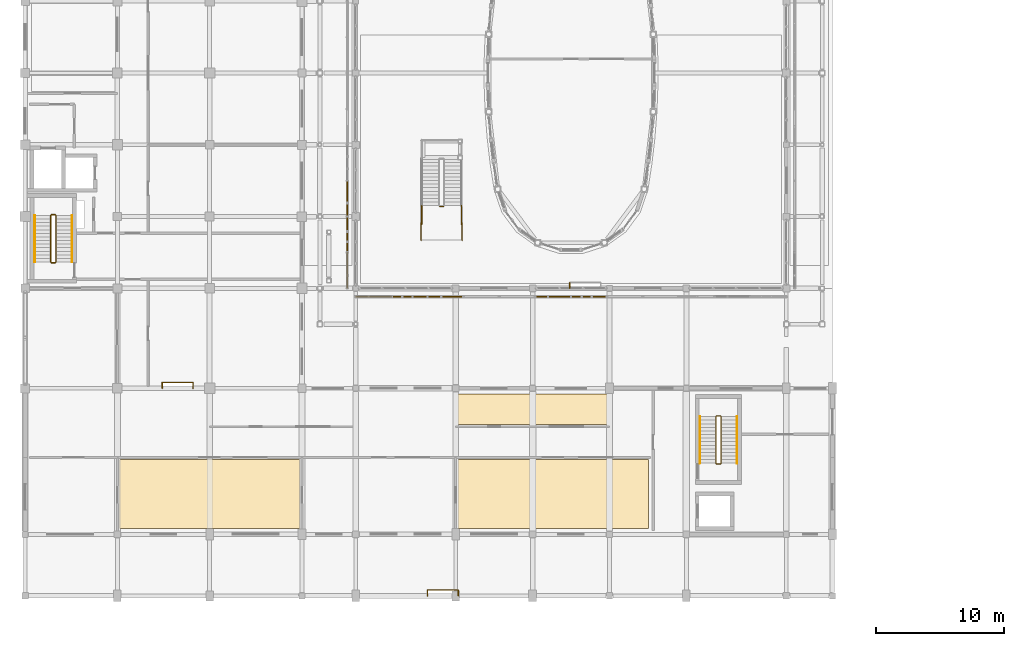
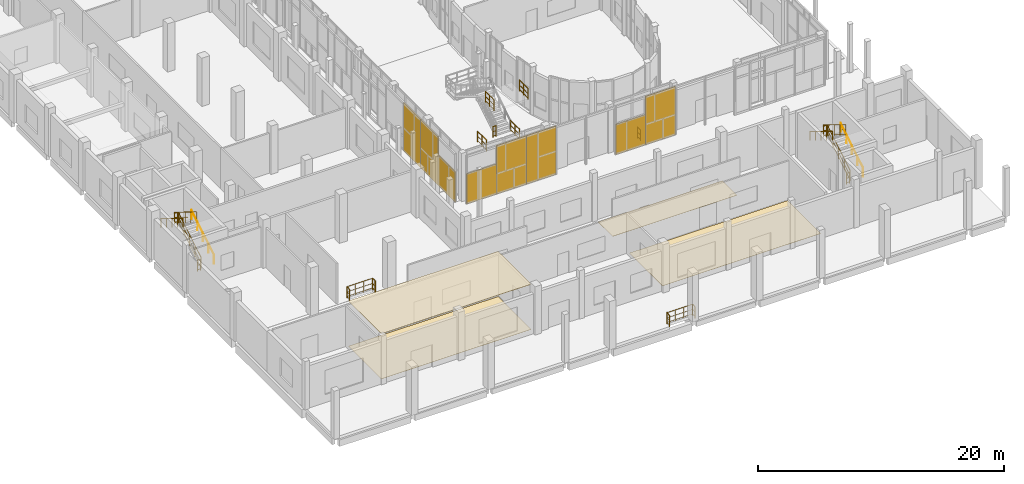
# One storey, part 83 of 91: 24 railings, 8 shading devices, 4 coverings.
"""IFC4 building model written with IfcOpenShell, lengths in metres."""

from ifc_helpers import new_model, si_unit, direction, frame, origin, origin_2d, place, context, subcontext, project, spatial, polyline, rectangle, circle, outline, extrude, material, layer, layer_set, type_object, element, save


model = new_model("IFC4")

# Units and contexts
model_context = context("Model", 3, precision=1e-05, world=origin(), true_north=direction((0.0, 1.0)))
body_context = subcontext(model_context, "Body", "Model", "MODEL_VIEW")
ifc_project = project(units=[si_unit("LENGTHUNIT", "METRE"), si_unit("AREAUNIT", "SQUARE_METRE"), si_unit("VOLUMEUNIT", "CUBIC_METRE"), si_unit("PLANEANGLEUNIT", "RADIAN"), si_unit("MASSUNIT", "GRAM", prefix="KILO")], contexts=[model_context])

# Site, building, storey
site_placement = place(None, origin())
site = spatial("IfcSite", under=ifc_project, at=site_placement, CompositionType="ELEMENT")
building_placement = place(site_placement, origin())
building = spatial("IfcBuilding", under=site, at=building_placement, Name="Vinh Khe Railworks Police Headquarters", CompositionType="ELEMENT")
storey_placement = place(building_placement, origin())
storey = spatial("IfcBuildingStorey", under=building, at=storey_placement, Name="L00", CompositionType="ELEMENT", Elevation=0.0)

# Coverings
ifc_material_1 = material(Name="Mineral fibre acoustic ceiling tile")
ifc_layer_1 = layer(ifc_material_1, 0.034912109375)
ifc_layer_set_1 = layer_set([ifc_layer_1], Name="Mineral fibre acoustic ceiling tile")
covering_type_1 = type_object("IfcCoveringType", Name="COV-CEIL-ACOUSTIC", PredefinedType="CEILING", material=ifc_layer_set_1)
covering_1_placement = place(storey_placement, frame((0.0, 0.0, 4.47509765625)))
element("IfcCovering", 1, at=covering_1_placement, inside=storey, type_object=covering_type_1, Name="Acoustic Ceiling Front Counter", PredefinedType="CEILING", context=body_context, shape_type="SweptSolid", body=[
    extrude(outline(polyline([(22.0400390625, 11.840087890625), (7.9599609375, 11.840087890625), (7.9599609375, 6.4599609375), (22.0400390625, 6.4599609375), (22.0400390625, 11.840087890625)])), origin(), (0.0, 0.0, 1.0), 0.034912109375),
])
ifc_material_2 = material(Name="Honed granite terrazzo flooring", Category="masonry")
ifc_layer_2 = layer(ifc_material_2, 0.02001953125)
ifc_layer_set_2 = layer_set([ifc_layer_2], Name="Honed granite terrazzo flooring")
covering_type_2 = type_object("IfcCoveringType", Name="COV-FLR-TERRAZZO", PredefinedType="FLOORING", material=ifc_layer_set_2)
covering_2_placement = place(storey_placement, origin())
element("IfcCovering", 2, at=covering_2_placement, inside=storey, type_object=covering_type_2, Name="Terrazzo Floor Finish Front Counter", PredefinedType="FLOORING", context=body_context, shape_type="SweptSolid", body=[
    extrude(outline(polyline([(22.0400390625, 11.840087890625), (7.9599609375, 11.840087890625), (7.9599609375, 6.4599609375), (22.0400390625, 6.4599609375), (22.0400390625, 11.840087890625)])), origin(), (0.0, 0.0, 1.0), 0.02001953125),
])
covering_3_placement = place(storey_placement, origin())
element("IfcCovering", 3, at=covering_3_placement, inside=storey, type_object=covering_type_2, Name="Terrazzo Floor Finish Public Cafe", PredefinedType="FLOORING", context=body_context, shape_type="SweptSolid", body=[
    extrude(outline(polyline([(49.239990234375, 11.840087890625), (34.360107421875, 11.840087890625), (34.360107421875, 6.4599609375), (49.239990234375, 6.4599609375), (49.239990234375, 11.840087890625)])), origin(), (0.0, 0.0, 1.0), 0.02001953125),
])
covering_4_placement = place(storey_placement, origin())
element("IfcCovering", 4, at=covering_4_placement, inside=storey, type_object=covering_type_2, Name="Terrazzo Floor Finish Cafe Servery Pantry", PredefinedType="FLOORING", context=body_context, shape_type="SweptSolid", body=[
    extrude(outline(polyline([(46.0400390625, 16.93994140625), (34.360107421875, 16.93994140625), (34.360107421875, 14.56005859375), (46.0400390625, 14.56005859375), (46.0400390625, 16.93994140625)])), origin(), (0.0, 0.0, 1.0), 0.02001953125),
])

# Railings
ifc_material_3 = material(Name="Dark steel and laminated safety glass", Category="steel")
railing_type_1 = type_object("IfcRailingType", Name="RL-ATRIUM-1150", PredefinedType="BALUSTRADE", material=ifc_material_3)
railing_1_placement = place(storey_placement, frame((33.25, 31.60009765625, 0.0)))
element("IfcRailing", 5, at=railing_1_placement, inside=storey, type_object=railing_type_1, Name="L00 ST-08 stair guard 7", PredefinedType="BALUSTRADE", context=body_context, shape_type="SweptSolid", body=[
    extrude(circle(Radius=0.02392578125, at=origin_2d()), frame((0.0, 0.0, 1.076171875), z_axis=(-1.0, 0.0, 0.0), x_axis=(0.0, -1.0, 0.0)), (0.0, 0.0, 1.0), 0.300048828125),
    extrude(circle(Radius=0.01416015625, at=origin_2d()), frame((0.0, 0.0, 0.132080078125), z_axis=(-1.0, 0.0, 0.0), x_axis=(0.0, -1.0, 0.0)), (0.0, 0.0, 1.0), 0.300048828125),
    extrude(circle(Radius=0.01416015625, at=origin_2d()), frame((0.0, 0.0, 0.572021484375), z_axis=(-1.0, 0.0, 0.0), x_axis=(0.0, -1.0, 0.0)), (0.0, 0.0, 1.0), 0.300048828125),
    extrude(circle(Radius=0.02099609375, at=origin_2d()), origin(), (0.0, 0.0, 1.0), 1.052001953125),
    extrude(circle(Radius=0.02099609375, at=origin_2d()), frame((-0.300048828125, 0.0, 0.0)), (0.0, 0.0, 1.0), 1.052001953125),
])
for number, where, name in (
    (6, (34.64990234375, 30.199951171875, 0.0), "L00 ST-08 stair guard 8"),
    (7, (31.550048828125, 30.199951171875, 0.0), "L00 ST-08 stair guard 9"),
):
    element("IfcRailing", number, at=place(storey_placement, frame(where)), inside=storey, type_object=railing_type_1, Name=name, PredefinedType="BALUSTRADE", context=body_context, shape_type="SweptSolid", body=[
        extrude(circle(Radius=0.02392578125, at=origin_2d()), frame((0.0, 0.0, 1.076171875), z_axis=(0.0, 1.0, 0.0), x_axis=(-1.0, 0.0, 0.0)), (0.0, 0.0, 1.0), 1.449951171875),
        extrude(circle(Radius=0.01416015625, at=origin_2d()), frame((0.0, 0.0, 0.132080078125), z_axis=(0.0, 1.0, 0.0), x_axis=(-1.0, 0.0, 0.0)), (0.0, 0.0, 1.0), 1.449951171875),
        extrude(circle(Radius=0.01416015625, at=origin_2d()), frame((0.0, 0.0, 0.572021484375), z_axis=(0.0, 1.0, 0.0), x_axis=(-1.0, 0.0, 0.0)), (0.0, 0.0, 1.0), 1.449951171875),
        extrude(circle(Radius=0.02099609375, at=origin_2d()), origin(), (0.0, 0.0, 1.0), 1.052001953125),
        extrude(circle(Radius=0.02099609375, at=origin_2d()), frame((0.0, 0.72509765625, 0.0)), (0.0, 0.0, 1.0), 1.052001953125),
        extrude(circle(Radius=0.02099609375, at=origin_2d()), frame((0.0, 1.449951171875, 0.0)), (0.0, 0.0, 1.0), 1.052001953125),
    ])
for number, where, name in (
    (8, (31.5, 28.949951171875, 4.800048828125), "L00 ST-08 stair guard 10"),
    (9, (34.699951171875, 28.949951171875, 4.800048828125), "L00 ST-08 stair guard 11"),
):
    element("IfcRailing", number, at=place(storey_placement, frame(where)), inside=storey, type_object=railing_type_1, Name=name, PredefinedType="BALUSTRADE", context=body_context, shape_type="SweptSolid", body=[
        extrude(circle(Radius=0.02392578125, at=origin_2d()), frame((0.0, 0.0, 1.076171875), z_axis=(0.0, 1.0, 0.0), x_axis=(-1.0, 0.0, 0.0)), (0.0, 0.0, 1.0), 1.35009765625),
        extrude(circle(Radius=0.01416015625, at=origin_2d()), frame((0.0, 0.0, 0.132080078125), z_axis=(0.0, 1.0, 0.0), x_axis=(-1.0, 0.0, 0.0)), (0.0, 0.0, 1.0), 1.35009765625),
        extrude(circle(Radius=0.01416015625, at=origin_2d()), frame((0.0, 0.0, 0.572021484375), z_axis=(0.0, 1.0, 0.0), x_axis=(-1.0, 0.0, 0.0)), (0.0, 0.0, 1.0), 1.35009765625),
        extrude(circle(Radius=0.02099609375, at=origin_2d()), origin(), (0.0, 0.0, 1.0), 1.052001953125),
        extrude(circle(Radius=0.02099609375, at=origin_2d()), frame((0.0, 0.675048828125, 0.0)), (0.0, 0.0, 1.0), 1.052001953125),
        extrude(circle(Radius=0.02099609375, at=origin_2d()), frame((0.0, 1.35009765625, 0.0)), (0.0, 0.0, 1.0), 1.052001953125),
    ])
ifc_material_4 = material(Name="Painted tubular steel", Category="steel")
railing_type_2 = type_object("IfcRailingType", Name="RL-GUARD-1100", PredefinedType="GUARDRAIL", material=ifc_material_4)
railing_2_placement = place(storey_placement, frame((3.0, 27.25, 0.17138671875)))
element("IfcRailing", 10, at=railing_2_placement, inside=storey, type_object=railing_type_2, Name="L00 ST-01 stair guard 1", PredefinedType="GUARDRAIL", context=body_context, shape_type="SweptSolid", body=[
    extrude(circle(Radius=0.02392578125, at=origin_2d()), frame((0.0, 0.0, 1.076171875), z_axis=(0.0, 0.852850264322, 0.5221555579), x_axis=(-1.0, 0.0, 0.0)), (0.0, 0.0, 1.0), 4.267822265625),
    extrude(circle(Radius=0.01416015625, at=origin_2d()), frame((0.0, 0.0, 0.132080078125), z_axis=(0.0, 0.852850264322, 0.5221555579), x_axis=(-1.0, 0.0, 0.0)), (0.0, 0.0, 1.0), 4.267822265625),
    extrude(circle(Radius=0.01416015625, at=origin_2d()), frame((0.0, 0.0, 0.572021484375), z_axis=(0.0, 0.852850264322, 0.5221555579), x_axis=(-1.0, 0.0, 0.0)), (0.0, 0.0, 1.0), 4.267822265625),
    extrude(circle(Radius=0.02099609375, at=origin_2d()), origin(), (0.0, 0.0, 1.0), 1.052001953125),
    extrude(circle(Radius=0.02099609375, at=origin_2d()), frame((0.0, 0.909912109375, 0.55712890625)), (0.0, 0.0, 1.0), 1.052001953125),
    extrude(circle(Radius=0.02099609375, at=origin_2d()), frame((0.0, 1.81982421875, 1.1142578125)), (0.0, 0.0, 1.0), 1.052001953125),
    extrude(circle(Radius=0.02099609375, at=origin_2d()), frame((0.0, 2.72998046875, 1.67138671875)), (0.0, 0.0, 1.0), 1.052001953125),
    extrude(circle(Radius=0.02099609375, at=origin_2d()), frame((0.0, 3.639892578125, 2.228515625)), (0.0, 0.0, 1.0), 1.052001953125),
])
railing_3_placement = place(storey_placement, frame((2.949951171875, 30.93994140625, 2.39990234375)))
element("IfcRailing", 11, at=railing_3_placement, inside=storey, type_object=railing_type_2, Name="L00 ST-01 stair guard 2", PredefinedType="GUARDRAIL", context=body_context, shape_type="SweptSolid", body=[
    extrude(circle(Radius=0.02392578125, at=origin_2d()), frame((0.0, 0.0, 1.076171875), z_axis=(-1.0, 0.0, 0.0), x_axis=(0.0, -1.0, 0.0)), (0.0, 0.0, 1.0), 0.300048828125),
    extrude(circle(Radius=0.01416015625, at=origin_2d()), frame((0.0, 0.0, 0.132080078125), z_axis=(-1.0, 0.0, 0.0), x_axis=(0.0, -1.0, 0.0)), (0.0, 0.0, 1.0), 0.300048828125),
    extrude(circle(Radius=0.01416015625, at=origin_2d()), frame((0.0, 0.0, 0.572021484375), z_axis=(-1.0, 0.0, 0.0), x_axis=(0.0, -1.0, 0.0)), (0.0, 0.0, 1.0), 0.300048828125),
    extrude(circle(Radius=0.02099609375, at=origin_2d()), origin(), (0.0, 0.0, 1.0), 1.052001953125),
    extrude(circle(Radius=0.02099609375, at=origin_2d()), frame((-0.300048828125, 0.0, 0.0)), (0.0, 0.0, 1.0), 1.052001953125),
])
railing_4_placement = place(storey_placement, frame((2.60009765625, 30.889892578125, 2.571533203125)))
element("IfcRailing", 12, at=railing_4_placement, inside=storey, type_object=railing_type_2, Name="L00 ST-01 stair guard 3", PredefinedType="GUARDRAIL", context=body_context, shape_type="SweptSolid", body=[
    extrude(circle(Radius=0.02392578125, at=origin_2d()), frame((0.0, 0.0, 1.076171875), z_axis=(0.0, -0.852850264322, 0.5221555579), x_axis=(1.0, 0.0, 0.0)), (0.0, 0.0, 1.0), 4.267822265625),
    extrude(circle(Radius=0.01416015625, at=origin_2d()), frame((0.0, 0.0, 0.132080078125), z_axis=(0.0, -0.852850264322, 0.5221555579), x_axis=(1.0, 0.0, 0.0)), (0.0, 0.0, 1.0), 4.267822265625),
    extrude(circle(Radius=0.01416015625, at=origin_2d()), frame((0.0, 0.0, 0.572021484375), z_axis=(0.0, -0.852850264322, 0.5221555579), x_axis=(1.0, 0.0, 0.0)), (0.0, 0.0, 1.0), 4.267822265625),
    extrude(circle(Radius=0.02099609375, at=origin_2d()), origin(), (0.0, 0.0, 1.0), 1.052001953125),
    extrude(circle(Radius=0.02099609375, at=origin_2d()), frame((0.0, -0.909912109375, 0.55712890625)), (0.0, 0.0, 1.0), 1.052001953125),
    extrude(circle(Radius=0.02099609375, at=origin_2d()), frame((0.0, -1.81982421875, 1.1142578125)), (0.0, 0.0, 1.0), 1.052001953125),
    extrude(circle(Radius=0.02099609375, at=origin_2d()), frame((0.0, -2.72998046875, 1.67138671875)), (0.0, 0.0, 1.0), 1.052001953125),
    extrude(circle(Radius=0.02099609375, at=origin_2d()), frame((0.0, -3.639892578125, 2.228515625)), (0.0, 0.0, 1.0), 1.052001953125),
])
railing_5_placement = place(storey_placement, frame((2.949951171875, 27.199951171875, 0.0)))
element("IfcRailing", 13, at=railing_5_placement, inside=storey, type_object=railing_type_2, Name="L00 ST-01 stair guard 4", PredefinedType="GUARDRAIL", context=body_context, shape_type="SweptSolid", body=[
    extrude(circle(Radius=0.02392578125, at=origin_2d()), frame((0.0, 0.0, 1.076171875), z_axis=(-1.0, 0.0, 0.0), x_axis=(0.0, -1.0, 0.0)), (0.0, 0.0, 1.0), 0.300048828125),
    extrude(circle(Radius=0.01416015625, at=origin_2d()), frame((0.0, 0.0, 0.132080078125), z_axis=(-1.0, 0.0, 0.0), x_axis=(0.0, -1.0, 0.0)), (0.0, 0.0, 1.0), 0.300048828125),
    extrude(circle(Radius=0.01416015625, at=origin_2d()), frame((0.0, 0.0, 0.572021484375), z_axis=(-1.0, 0.0, 0.0), x_axis=(0.0, -1.0, 0.0)), (0.0, 0.0, 1.0), 0.300048828125),
    extrude(circle(Radius=0.02099609375, at=origin_2d()), origin(), (0.0, 0.0, 1.0), 1.052001953125),
    extrude(circle(Radius=0.02099609375, at=origin_2d()), frame((-0.300048828125, 0.0, 0.0)), (0.0, 0.0, 1.0), 1.052001953125),
])
railing_6_placement = place(storey_placement, frame((54.89990234375, 11.550048828125, 0.17138671875)))
element("IfcRailing", 14, at=railing_6_placement, inside=storey, type_object=railing_type_2, Name="L00 ST-05 stair guard 1", PredefinedType="GUARDRAIL", context=body_context, shape_type="SweptSolid", body=[
    extrude(circle(Radius=0.02392578125, at=origin_2d()), frame((0.0, 0.0, 1.076171875), z_axis=(0.0, 0.852850264322, 0.5221555579), x_axis=(-1.0, 0.0, 0.0)), (0.0, 0.0, 1.0), 4.267822265625),
    extrude(circle(Radius=0.01416015625, at=origin_2d()), frame((0.0, 0.0, 0.132080078125), z_axis=(0.0, 0.852850264322, 0.5221555579), x_axis=(-1.0, 0.0, 0.0)), (0.0, 0.0, 1.0), 4.267822265625),
    extrude(circle(Radius=0.01416015625, at=origin_2d()), frame((0.0, 0.0, 0.572021484375), z_axis=(0.0, 0.852850264322, 0.5221555579), x_axis=(-1.0, 0.0, 0.0)), (0.0, 0.0, 1.0), 4.267822265625),
    extrude(circle(Radius=0.02099609375, at=origin_2d()), origin(), (0.0, 0.0, 1.0), 1.052001953125),
    extrude(circle(Radius=0.02099609375, at=origin_2d()), frame((0.0, 0.909912109375, 0.55712890625)), (0.0, 0.0, 1.0), 1.052001953125),
    extrude(circle(Radius=0.02099609375, at=origin_2d()), frame((0.0, 1.81982421875, 1.1142578125)), (0.0, 0.0, 1.0), 1.052001953125),
    extrude(circle(Radius=0.02099609375, at=origin_2d()), frame((0.0, 2.72998046875, 1.67138671875)), (0.0, 0.0, 1.0), 1.052001953125),
    extrude(circle(Radius=0.02099609375, at=origin_2d()), frame((0.0, 3.639892578125, 2.228515625)), (0.0, 0.0, 1.0), 1.052001953125),
])
railing_7_placement = place(storey_placement, frame((54.85009765625, 15.239990234375, 2.39990234375)))
element("IfcRailing", 15, at=railing_7_placement, inside=storey, type_object=railing_type_2, Name="L00 ST-05 stair guard 2", PredefinedType="GUARDRAIL", context=body_context, shape_type="SweptSolid", body=[
    extrude(circle(Radius=0.02392578125, at=origin_2d()), frame((0.0, 0.0, 1.076171875), z_axis=(-1.0, 0.0, 0.0), x_axis=(0.0, -1.0, 0.0)), (0.0, 0.0, 1.0), 0.300048828125),
    extrude(circle(Radius=0.01416015625, at=origin_2d()), frame((0.0, 0.0, 0.132080078125), z_axis=(-1.0, 0.0, 0.0), x_axis=(0.0, -1.0, 0.0)), (0.0, 0.0, 1.0), 0.300048828125),
    extrude(circle(Radius=0.01416015625, at=origin_2d()), frame((0.0, 0.0, 0.572021484375), z_axis=(-1.0, 0.0, 0.0), x_axis=(0.0, -1.0, 0.0)), (0.0, 0.0, 1.0), 0.300048828125),
    extrude(circle(Radius=0.02099609375, at=origin_2d()), origin(), (0.0, 0.0, 1.0), 1.052001953125),
    extrude(circle(Radius=0.02099609375, at=origin_2d()), frame((-0.300048828125, 0.0, 0.0)), (0.0, 0.0, 1.0), 1.052001953125),
])
railing_8_placement = place(storey_placement, frame((54.5, 15.18994140625, 2.571533203125)))
element("IfcRailing", 16, at=railing_8_placement, inside=storey, type_object=railing_type_2, Name="L00 ST-05 stair guard 3", PredefinedType="GUARDRAIL", context=body_context, shape_type="SweptSolid", body=[
    extrude(circle(Radius=0.02392578125, at=origin_2d()), frame((0.0, 0.0, 1.076171875), z_axis=(0.0, -0.852850264322, 0.5221555579), x_axis=(1.0, 0.0, 0.0)), (0.0, 0.0, 1.0), 4.267822265625),
    extrude(circle(Radius=0.01416015625, at=origin_2d()), frame((0.0, 0.0, 0.132080078125), z_axis=(0.0, -0.852850264322, 0.5221555579), x_axis=(1.0, 0.0, 0.0)), (0.0, 0.0, 1.0), 4.267822265625),
    extrude(circle(Radius=0.01416015625, at=origin_2d()), frame((0.0, 0.0, 0.572021484375), z_axis=(0.0, -0.852850264322, 0.5221555579), x_axis=(1.0, 0.0, 0.0)), (0.0, 0.0, 1.0), 4.267822265625),
    extrude(circle(Radius=0.02099609375, at=origin_2d()), origin(), (0.0, 0.0, 1.0), 1.052001953125),
    extrude(circle(Radius=0.02099609375, at=origin_2d()), frame((0.0, -0.909912109375, 0.55712890625)), (0.0, 0.0, 1.0), 1.052001953125),
    extrude(circle(Radius=0.02099609375, at=origin_2d()), frame((0.0, -1.81982421875, 1.1142578125)), (0.0, 0.0, 1.0), 1.052001953125),
    extrude(circle(Radius=0.02099609375, at=origin_2d()), frame((0.0, -2.72998046875, 1.67138671875)), (0.0, 0.0, 1.0), 1.052001953125),
    extrude(circle(Radius=0.02099609375, at=origin_2d()), frame((0.0, -3.639892578125, 2.228515625)), (0.0, 0.0, 1.0), 1.052001953125),
])
railing_9_placement = place(storey_placement, frame((54.85009765625, 11.5, 0.0)))
element("IfcRailing", 17, at=railing_9_placement, inside=storey, type_object=railing_type_2, Name="L00 ST-05 stair guard 4", PredefinedType="GUARDRAIL", context=body_context, shape_type="SweptSolid", body=[
    extrude(circle(Radius=0.02392578125, at=origin_2d()), frame((0.0, 0.0, 1.076171875), z_axis=(-1.0, 0.0, 0.0), x_axis=(0.0, -1.0, 0.0)), (0.0, 0.0, 1.0), 0.300048828125),
    extrude(circle(Radius=0.01416015625, at=origin_2d()), frame((0.0, 0.0, 0.132080078125), z_axis=(-1.0, 0.0, 0.0), x_axis=(0.0, -1.0, 0.0)), (0.0, 0.0, 1.0), 0.300048828125),
    extrude(circle(Radius=0.01416015625, at=origin_2d()), frame((0.0, 0.0, 0.572021484375), z_axis=(-1.0, 0.0, 0.0), x_axis=(0.0, -1.0, 0.0)), (0.0, 0.0, 1.0), 0.300048828125),
    extrude(circle(Radius=0.02099609375, at=origin_2d()), origin(), (0.0, 0.0, 1.0), 1.052001953125),
    extrude(circle(Radius=0.02099609375, at=origin_2d()), frame((-0.300048828125, 0.0, 0.0)), (0.0, 0.0, 1.0), 1.052001953125),
])
railing_10_placement = place(storey_placement, frame((11.300048828125, 17.39990234375, 0.0)))
element("IfcRailing", 18, at=railing_10_placement, inside=storey, type_object=railing_type_2, Name="Slab Corner Notch Guard L00-01", PredefinedType="GUARDRAIL", context=body_context, shape_type="SweptSolid", body=[
    extrude(circle(Radius=0.02392578125, at=origin_2d()), frame((0.0, 0.0, 1.09619140625), z_axis=(0.0, 1.0, 0.0), x_axis=(-1.0, 0.0, 0.0)), (0.0, 0.0, 1.0), 0.4501953125),
    extrude(circle(Radius=0.01416015625, at=origin_2d()), frame((0.0, 0.0, 0.134521484375), z_axis=(0.0, 1.0, 0.0), x_axis=(-1.0, 0.0, 0.0)), (0.0, 0.0, 1.0), 0.4501953125),
    extrude(circle(Radius=0.01416015625, at=origin_2d()), frame((0.0, 0.0, 0.58251953125), z_axis=(0.0, 1.0, 0.0), x_axis=(-1.0, 0.0, 0.0)), (0.0, 0.0, 1.0), 0.4501953125),
    extrude(circle(Radius=0.02099609375, at=origin_2d()), origin(), (0.0, 0.0, 1.0), 1.072021484375),
    extrude(circle(Radius=0.02099609375, at=origin_2d()), frame((0.0, 0.4501953125, 0.0)), (0.0, 0.0, 1.0), 1.072021484375),
])
railing_11_placement = place(storey_placement, frame((11.300048828125, 17.85009765625, 0.0)))
element("IfcRailing", 19, at=railing_11_placement, inside=storey, type_object=railing_type_2, Name="Slab Corner Notch Guard L00-02", PredefinedType="GUARDRAIL", context=body_context, shape_type="SweptSolid", body=[
    extrude(circle(Radius=0.02392578125, at=origin_2d()), frame((0.0, 0.0, 1.09619140625), z_axis=(1.0, 0.0, 0.0), x_axis=(0.0, 1.0, 0.0)), (0.0, 0.0, 1.0), 2.39990234375),
    extrude(circle(Radius=0.01416015625, at=origin_2d()), frame((0.0, 0.0, 0.134521484375), z_axis=(1.0, 0.0, 0.0), x_axis=(0.0, 1.0, 0.0)), (0.0, 0.0, 1.0), 2.39990234375),
    extrude(circle(Radius=0.01416015625, at=origin_2d()), frame((0.0, 0.0, 0.58251953125), z_axis=(1.0, 0.0, 0.0), x_axis=(0.0, 1.0, 0.0)), (0.0, 0.0, 1.0), 2.39990234375),
    extrude(circle(Radius=0.02099609375, at=origin_2d()), origin(), (0.0, 0.0, 1.0), 1.072021484375),
    extrude(circle(Radius=0.02099609375, at=origin_2d()), frame((0.800048828125, 0.0, 0.0)), (0.0, 0.0, 1.0), 1.072021484375),
    extrude(circle(Radius=0.02099609375, at=origin_2d()), frame((1.599853515625, 0.0, 0.0)), (0.0, 0.0, 1.0), 1.072021484375),
    extrude(circle(Radius=0.02099609375, at=origin_2d()), frame((2.39990234375, 0.0, 0.0)), (0.0, 0.0, 1.0), 1.072021484375),
])
railing_12_placement = place(storey_placement, frame((13.699951171875, 17.85009765625, 0.0)))
element("IfcRailing", 20, at=railing_12_placement, inside=storey, type_object=railing_type_2, Name="Slab Corner Notch Guard L00-03", PredefinedType="GUARDRAIL", context=body_context, shape_type="SweptSolid", body=[
    extrude(circle(Radius=0.02392578125, at=origin_2d()), frame((0.0, 0.0, 1.09619140625), z_axis=(0.0, -1.0, 0.0), x_axis=(1.0, 0.0, 0.0)), (0.0, 0.0, 1.0), 0.4501953125),
    extrude(circle(Radius=0.01416015625, at=origin_2d()), frame((0.0, 0.0, 0.134521484375), z_axis=(0.0, -1.0, 0.0), x_axis=(1.0, 0.0, 0.0)), (0.0, 0.0, 1.0), 0.4501953125),
    extrude(circle(Radius=0.01416015625, at=origin_2d()), frame((0.0, 0.0, 0.58251953125), z_axis=(0.0, -1.0, 0.0), x_axis=(1.0, 0.0, 0.0)), (0.0, 0.0, 1.0), 0.4501953125),
    extrude(circle(Radius=0.02099609375, at=origin_2d()), origin(), (0.0, 0.0, 1.0), 1.072021484375),
    extrude(circle(Radius=0.02099609375, at=origin_2d()), frame((0.0, -0.4501953125, 0.0)), (0.0, 0.0, 1.0), 1.072021484375),
])
railing_13_placement = place(storey_placement, frame((32.0, 1.199951171875, 0.0)))
element("IfcRailing", 21, at=railing_13_placement, inside=storey, type_object=railing_type_2, Name="Slab Corner Notch Guard L00-04", PredefinedType="GUARDRAIL", context=body_context, shape_type="SweptSolid", body=[
    extrude(circle(Radius=0.02392578125, at=origin_2d()), frame((0.0, 0.0, 1.09619140625), z_axis=(0.0, 1.0, 0.0), x_axis=(-1.0, 0.0, 0.0)), (0.0, 0.0, 1.0), 0.449951171875),
    extrude(circle(Radius=0.01416015625, at=origin_2d()), frame((0.0, 0.0, 0.134521484375), z_axis=(0.0, 1.0, 0.0), x_axis=(-1.0, 0.0, 0.0)), (0.0, 0.0, 1.0), 0.449951171875),
    extrude(circle(Radius=0.01416015625, at=origin_2d()), frame((0.0, 0.0, 0.58251953125), z_axis=(0.0, 1.0, 0.0), x_axis=(-1.0, 0.0, 0.0)), (0.0, 0.0, 1.0), 0.449951171875),
    extrude(circle(Radius=0.02099609375, at=origin_2d()), origin(), (0.0, 0.0, 1.0), 1.072021484375),
    extrude(circle(Radius=0.02099609375, at=origin_2d()), frame((0.0, 0.449951171875, 0.0)), (0.0, 0.0, 1.0), 1.072021484375),
])
railing_14_placement = place(storey_placement, frame((32.0, 1.64990234375, 0.0)))
element("IfcRailing", 22, at=railing_14_placement, inside=storey, type_object=railing_type_2, Name="Slab Corner Notch Guard L00-05", PredefinedType="GUARDRAIL", context=body_context, shape_type="SweptSolid", body=[
    extrude(circle(Radius=0.02392578125, at=origin_2d()), frame((0.0, 0.0, 1.09619140625), z_axis=(1.0, 0.0, 0.0), x_axis=(0.0, 1.0, 0.0)), (0.0, 0.0, 1.0), 2.39990234375),
    extrude(circle(Radius=0.01416015625, at=origin_2d()), frame((0.0, 0.0, 0.134521484375), z_axis=(1.0, 0.0, 0.0), x_axis=(0.0, 1.0, 0.0)), (0.0, 0.0, 1.0), 2.39990234375),
    extrude(circle(Radius=0.01416015625, at=origin_2d()), frame((0.0, 0.0, 0.58251953125), z_axis=(1.0, 0.0, 0.0), x_axis=(0.0, 1.0, 0.0)), (0.0, 0.0, 1.0), 2.39990234375),
    extrude(circle(Radius=0.02099609375, at=origin_2d()), origin(), (0.0, 0.0, 1.0), 1.072021484375),
    extrude(circle(Radius=0.02099609375, at=origin_2d()), frame((0.800048828125, 0.0, 0.0)), (0.0, 0.0, 1.0), 1.072021484375),
    extrude(circle(Radius=0.02099609375, at=origin_2d()), frame((1.599853515625, 0.0, 0.0)), (0.0, 0.0, 1.0), 1.072021484375),
    extrude(circle(Radius=0.02099609375, at=origin_2d()), frame((2.39990234375, 0.0, 0.0)), (0.0, 0.0, 1.0), 1.072021484375),
])
railing_15_placement = place(storey_placement, frame((34.39990234375, 1.64990234375, 0.0)))
element("IfcRailing", 23, at=railing_15_placement, inside=storey, type_object=railing_type_2, Name="Slab Corner Notch Guard L00-06", PredefinedType="GUARDRAIL", context=body_context, shape_type="SweptSolid", body=[
    extrude(circle(Radius=0.02392578125, at=origin_2d()), frame((0.0, 0.0, 1.09619140625), z_axis=(0.0, -1.0, 0.0), x_axis=(1.0, 0.0, 0.0)), (0.0, 0.0, 1.0), 0.449951171875),
    extrude(circle(Radius=0.01416015625, at=origin_2d()), frame((0.0, 0.0, 0.134521484375), z_axis=(0.0, -1.0, 0.0), x_axis=(1.0, 0.0, 0.0)), (0.0, 0.0, 1.0), 0.449951171875),
    extrude(circle(Radius=0.01416015625, at=origin_2d()), frame((0.0, 0.0, 0.58251953125), z_axis=(0.0, -1.0, 0.0), x_axis=(1.0, 0.0, 0.0)), (0.0, 0.0, 1.0), 0.449951171875),
    extrude(circle(Radius=0.02099609375, at=origin_2d()), origin(), (0.0, 0.0, 1.0), 1.072021484375),
    extrude(circle(Radius=0.02099609375, at=origin_2d()), frame((0.0, -0.449951171875, 0.0)), (0.0, 0.0, 1.0), 1.072021484375),
])
railing_16_placement = place(storey_placement, frame((43.10009765625, 25.199951171875, 0.0)))
element("IfcRailing", 24, at=railing_16_placement, inside=storey, type_object=railing_type_2, Name="Slab Corner Notch Guard L00-07", PredefinedType="GUARDRAIL", context=body_context, shape_type="SweptSolid", body=[
    extrude(circle(Radius=0.02392578125, at=origin_2d()), frame((0.0, 0.0, 1.09619140625), z_axis=(0.0, 1.0, 0.0), x_axis=(-1.0, 0.0, 0.0)), (0.0, 0.0, 1.0), 0.449951171875),
    extrude(circle(Radius=0.01416015625, at=origin_2d()), frame((0.0, 0.0, 0.134521484375), z_axis=(0.0, 1.0, 0.0), x_axis=(-1.0, 0.0, 0.0)), (0.0, 0.0, 1.0), 0.449951171875),
    extrude(circle(Radius=0.01416015625, at=origin_2d()), frame((0.0, 0.0, 0.58251953125), z_axis=(0.0, 1.0, 0.0), x_axis=(-1.0, 0.0, 0.0)), (0.0, 0.0, 1.0), 0.449951171875),
    extrude(circle(Radius=0.02099609375, at=origin_2d()), origin(), (0.0, 0.0, 1.0), 1.072021484375),
    extrude(circle(Radius=0.02099609375, at=origin_2d()), frame((0.0, 0.449951171875, 0.0)), (0.0, 0.0, 1.0), 1.072021484375),
])
ifc_material_5 = material(Name="Brushed stainless steel", Category="steel")
railing_type_3 = type_object("IfcRailingType", Name="RL-HAND-900", PredefinedType="HANDRAIL", material=ifc_material_5)
railing_17_placement = place(storey_placement, frame((4.25, 27.25, 0.17138671875)))
element("IfcRailing", 25, at=railing_17_placement, inside=storey, type_object=railing_type_3, Name="L00 ST-01 stair handrail 1", PredefinedType="HANDRAIL", context=body_context, shape_type="SweptSolid", body=[
    extrude(circle(Radius=0.02392578125, at=origin_2d()), frame((0.0, 0.0, 0.8759765625), z_axis=(0.0, 0.852850264322, 0.5221555579), x_axis=(-1.0, 0.0, 0.0)), (0.0, 0.0, 1.0), 4.267822265625),
    extrude(circle(Radius=0.02099609375, at=origin_2d()), origin(), (0.0, 0.0, 1.0), 0.851806640625),
    extrude(circle(Radius=0.02099609375, at=origin_2d()), frame((0.0, 0.909912109375, 0.55712890625)), (0.0, 0.0, 1.0), 0.851806640625),
    extrude(circle(Radius=0.02099609375, at=origin_2d()), frame((0.0, 1.81982421875, 1.1142578125)), (0.0, 0.0, 1.0), 0.851806640625),
    extrude(circle(Radius=0.02099609375, at=origin_2d()), frame((0.0, 2.72998046875, 1.67138671875)), (0.0, 0.0, 1.0), 0.851806640625),
    extrude(circle(Radius=0.02099609375, at=origin_2d()), frame((0.0, 3.639892578125, 2.228515625)), (0.0, 0.0, 1.0), 0.851806640625),
])
railing_18_placement = place(storey_placement, frame((1.35009765625, 30.889892578125, 2.571533203125)))
element("IfcRailing", 26, at=railing_18_placement, inside=storey, type_object=railing_type_3, Name="L00 ST-01 stair handrail 2", PredefinedType="HANDRAIL", context=body_context, shape_type="SweptSolid", body=[
    extrude(circle(Radius=0.02392578125, at=origin_2d()), frame((0.0, 0.0, 0.8759765625), z_axis=(0.0, -0.852850264322, 0.5221555579), x_axis=(1.0, 0.0, 0.0)), (0.0, 0.0, 1.0), 4.267822265625),
    extrude(circle(Radius=0.02099609375, at=origin_2d()), origin(), (0.0, 0.0, 1.0), 0.851806640625),
    extrude(circle(Radius=0.02099609375, at=origin_2d()), frame((0.0, -0.909912109375, 0.55712890625)), (0.0, 0.0, 1.0), 0.851806640625),
    extrude(circle(Radius=0.02099609375, at=origin_2d()), frame((0.0, -1.81982421875, 1.1142578125)), (0.0, 0.0, 1.0), 0.851806640625),
    extrude(circle(Radius=0.02099609375, at=origin_2d()), frame((0.0, -2.72998046875, 1.67138671875)), (0.0, 0.0, 1.0), 0.851806640625),
    extrude(circle(Radius=0.02099609375, at=origin_2d()), frame((0.0, -3.639892578125, 2.228515625)), (0.0, 0.0, 1.0), 0.851806640625),
])
railing_19_placement = place(storey_placement, frame((56.14990234375, 11.550048828125, 0.17138671875)))
element("IfcRailing", 27, at=railing_19_placement, inside=storey, type_object=railing_type_3, Name="L00 ST-05 stair handrail 1", PredefinedType="HANDRAIL", context=body_context, shape_type="SweptSolid", body=[
    extrude(circle(Radius=0.02392578125, at=origin_2d()), frame((0.0, 0.0, 0.8759765625), z_axis=(0.0, 0.852850264322, 0.5221555579), x_axis=(-1.0, 0.0, 0.0)), (0.0, 0.0, 1.0), 4.267822265625),
    extrude(circle(Radius=0.02099609375, at=origin_2d()), origin(), (0.0, 0.0, 1.0), 0.851806640625),
    extrude(circle(Radius=0.02099609375, at=origin_2d()), frame((0.0, 0.909912109375, 0.55712890625)), (0.0, 0.0, 1.0), 0.851806640625),
    extrude(circle(Radius=0.02099609375, at=origin_2d()), frame((0.0, 1.81982421875, 1.1142578125)), (0.0, 0.0, 1.0), 0.851806640625),
    extrude(circle(Radius=0.02099609375, at=origin_2d()), frame((0.0, 2.72998046875, 1.67138671875)), (0.0, 0.0, 1.0), 0.851806640625),
    extrude(circle(Radius=0.02099609375, at=origin_2d()), frame((0.0, 3.639892578125, 2.228515625)), (0.0, 0.0, 1.0), 0.851806640625),
])
railing_20_placement = place(storey_placement, frame((53.25, 15.18994140625, 2.571533203125)))
element("IfcRailing", 28, at=railing_20_placement, inside=storey, type_object=railing_type_3, Name="L00 ST-05 stair handrail 2", PredefinedType="HANDRAIL", context=body_context, shape_type="SweptSolid", body=[
    extrude(circle(Radius=0.02392578125, at=origin_2d()), frame((0.0, 0.0, 0.8759765625), z_axis=(0.0, -0.852850264322, 0.5221555579), x_axis=(1.0, 0.0, 0.0)), (0.0, 0.0, 1.0), 4.267822265625),
    extrude(circle(Radius=0.02099609375, at=origin_2d()), origin(), (0.0, 0.0, 1.0), 0.851806640625),
    extrude(circle(Radius=0.02099609375, at=origin_2d()), frame((0.0, -0.909912109375, 0.55712890625)), (0.0, 0.0, 1.0), 0.851806640625),
    extrude(circle(Radius=0.02099609375, at=origin_2d()), frame((0.0, -1.81982421875, 1.1142578125)), (0.0, 0.0, 1.0), 0.851806640625),
    extrude(circle(Radius=0.02099609375, at=origin_2d()), frame((0.0, -2.72998046875, 1.67138671875)), (0.0, 0.0, 1.0), 0.851806640625),
    extrude(circle(Radius=0.02099609375, at=origin_2d()), frame((0.0, -3.639892578125, 2.228515625)), (0.0, 0.0, 1.0), 0.851806640625),
])

# Shading devices
ifc_material_6 = material(Name="Salvaged ironwood timber", Category="wood")
shading_device_type_1 = type_object("IfcShadingDeviceType", Name="SHD-QS-01", PredefinedType="JALOUSIE", material=ifc_material_6)
for number, where, z_axis, x_axis, name in (
    (29, (27.800048828125, 24.550048828125, 0.0), (0.0, 0.0, 1.0), (1.0, 0.0, 0.0), "Salvaged Ironwood Quilt Casement S-1"),
    (30, (41.800048828125, 24.550048828125, 0.0), (0.0, 0.0, 1.0), (1.0, 0.0, 0.0), "Salvaged Ironwood Quilt Casement S-6"),
    (31, (25.75, 26.60009765625, 0.0), (0.0, 0.0, 1.0), (0.0, 1.0, 0.0), "Salvaged Ironwood Quilt Casement W-1"),
):
    element("IfcShadingDevice", number, at=place(storey_placement, frame(where, z_axis=z_axis, x_axis=x_axis)), inside=storey, type_object=shading_device_type_1, Name=name, PredefinedType="JALOUSIE", context=body_context, shape_type="SweptSolid", body=[
        extrude(rectangle(XDim=2.800048828125, YDim=0.090087890625, at=origin_2d()), origin(), (0.0, 0.0, 1.0), 2.97607421875),
    ])
ifc_material_7 = material(Name="Weathered architectural steel", Category="steel")
shading_device_type_2 = type_object("IfcShadingDeviceType", Name="SHD-QS-03", PredefinedType="SHUTTER", material=ifc_material_7)
for number, where, z_axis, x_axis, name in (
    (32, (33.39990234375, 24.550048828125, 0.0), (0.0, 0.0, 1.0), (1.0, 0.0, 0.0), "Dark Steel Patchwork Casement Frame S-3"),
    (33, (25.75, 32.199951171875, 0.0), (0.0, 0.0, 1.0), (0.0, 1.0, 0.0), "Dark Steel Patchwork Casement Frame W-3"),
):
    element("IfcShadingDevice", number, at=place(storey_placement, frame(where, z_axis=z_axis, x_axis=x_axis)), inside=storey, type_object=shading_device_type_2, Name=name, PredefinedType="SHUTTER", context=body_context, shape_type="SweptSolid", body=[
        extrude(rectangle(XDim=2.800048828125, YDim=0.080078125, at=origin_2d()), origin(), (0.0, 0.0, 1.0), 4.800048828125),
    ])
shading_device_type_3 = type_object("IfcShadingDeviceType", Name="SHD-QS-04", PredefinedType="SHUTTER", material=ifc_material_6)
for number, where, z_axis, x_axis, name in (
    (34, (30.60009765625, 24.550048828125, 0.0), (0.0, 0.0, 1.0), (1.0, 0.0, 0.0), "Shuttered Ironwood Casement S-2"),
    (35, (44.60009765625, 24.550048828125, 0.0), (0.0, 0.0, 1.0), (1.0, 0.0, 0.0), "Shuttered Ironwood Casement S-7"),
    (36, (25.75, 29.39990234375, 0.0), (0.0, 0.0, 1.0), (0.0, 1.0, 0.0), "Shuttered Ironwood Casement W-2"),
):
    element("IfcShadingDevice", number, at=place(storey_placement, frame(where, z_axis=z_axis, x_axis=x_axis)), inside=storey, type_object=shading_device_type_3, Name=name, PredefinedType="SHUTTER", context=body_context, shape_type="SweptSolid", body=[
        extrude(rectangle(XDim=2.800048828125, YDim=0.090087890625, at=origin_2d()), origin(), (0.0, 0.0, 1.0), 4.800048828125),
    ])

save(model, "model.ifc")
